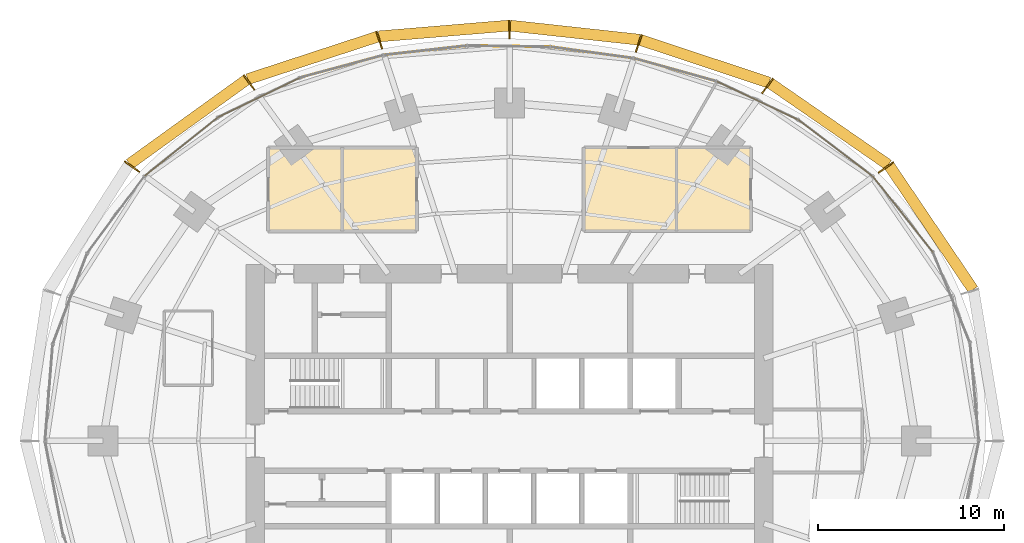
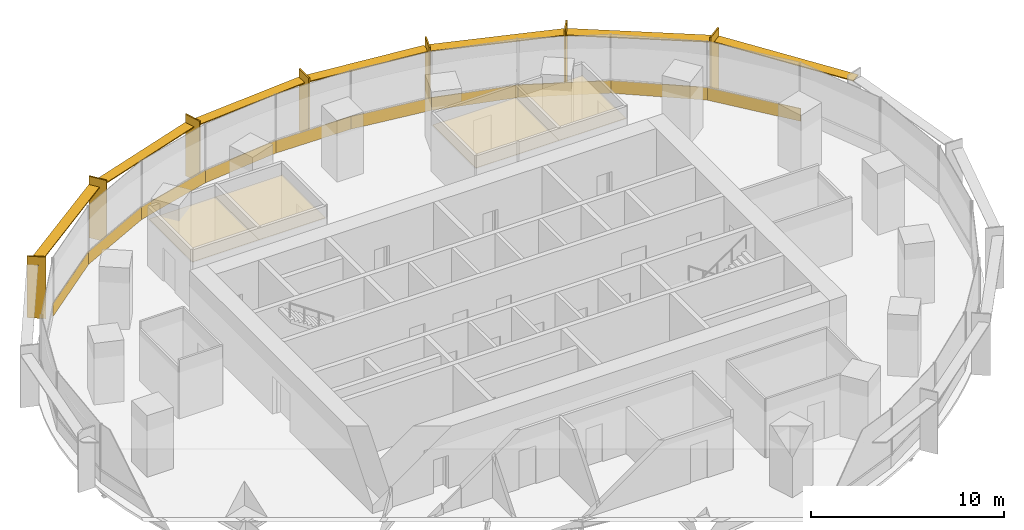
# One storey, part 14 of 14: 14 coverings, 14 shading devices.
"""IFC4 building model written with IfcOpenShell, lengths in metres."""

from ifc_helpers import new_model, si_unit, direction, frame, origin, origin_2d, place, context, subcontext, project, spatial, polyline, rectangle, outline, extrude, material, layer, layer_set, type_object, element, save


model = new_model("IFC4")

# Units and contexts
model_context = context("Model", 3, precision=1e-05, world=origin(), true_north=direction((0.0, 1.0)))
body_context = subcontext(model_context, "Body", "Model", "MODEL_VIEW")
ifc_project = project(units=[si_unit("LENGTHUNIT", "METRE"), si_unit("AREAUNIT", "SQUARE_METRE"), si_unit("VOLUMEUNIT", "CUBIC_METRE"), si_unit("PLANEANGLEUNIT", "RADIAN"), si_unit("MASSUNIT", "GRAM", prefix="KILO")], contexts=[model_context])

# Site, building, storey
site_placement = place(None, origin())
site = spatial("IfcSite", under=ifc_project, at=site_placement, CompositionType="ELEMENT")
building_placement = place(site_placement, origin())
building = spatial("IfcBuilding", under=site, at=building_placement, Name="Marramba Exchange Tower", CompositionType="ELEMENT")
storey_placement = place(building_placement, frame((0.0, 0.0, 135.300048828125)))
storey = spatial("IfcBuildingStorey", under=building, at=storey_placement, Name="L32", CompositionType="ELEMENT", Elevation=135.300048828125)

# Shading devices
ifc_material_1 = material(Name="Aluminium blade, timber-look bronze finish", Category="wood")
ifc_layer_1 = layer(ifc_material_1, 0.080078125)
ifc_layer_set_1 = layer_set([ifc_layer_1], Name="Floor-edge blade 1000x80")
shading_device_type_1 = type_object("IfcShadingDeviceType", Name="Floor-edge blade 1000x80", PredefinedType="USERDEFINED", material=ifc_layer_set_1)
for number, where, z_axis, x_axis, name in (
    (1, (20.27392578125, 14.72998046875, -0.159912109375), (0.0, 0.0, 1.0), (0.809016994375, 0.587785252292, 0.0), "Floor-edge blade FB1 L32 TC03"),
    (2, (13.8955078125, 19.12548828125, -0.159912109375), (0.0, 0.0, 1.0), (0.587785252292, 0.809016994375, 0.0), "Floor-edge blade FB1 L32 TC04"),
    (3, (6.958984375, 21.41748046875, -0.159912109375), (0.0, 0.0, 1.0), (0.309016994375, 0.951056516295, 0.0), "Floor-edge blade FB1 L32 TC05"),
    (4, (0.0, 22.173095703125, -0.159912109375), (0.0, 0.0, 1.0), (0.0, 1.0, 0.0), "Floor-edge blade FB1 L32 TC06"),
    (5, (-7.016845703125, 21.595703125, -0.159912109375), (0.0, 0.0, 1.0), (-0.309016994375, 0.951056516295, 0.0), "Floor-edge blade FB1 L32 TC07"),
    (6, (-14.029296875, 19.3095703125, -0.159912109375), (0.0, 0.0, 1.0), (-0.587785252292, 0.809016994375, 0.0), "Floor-edge blade FB1 L32 TC08"),
    (7, (-20.33642578125, 14.775390625, -0.159912109375), (0.0, 0.0, 1.0), (-0.809016994375, 0.587785252292, 0.0), "Floor-edge blade FB1 L32 TC09"),
):
    element("IfcShadingDevice", number, at=place(storey_placement, frame(where, z_axis=z_axis, x_axis=x_axis)), inside=storey, type_object=shading_device_type_1, Name=name, ObjectType="FIN", PredefinedType="USERDEFINED", context=body_context, shape_type="SweptSolid", body=[
        extrude(rectangle(XDim=1.0, YDim=0.080078125, at=origin_2d()), origin(), (0.0, 0.0, 1.0), 3.89990234375),
    ])
ifc_material_2 = material(Name="Aluminium sunshade, bronze anodised", Category="aluminium")
ifc_layer_2 = layer(ifc_material_2, 0.06005859375)
ifc_layer_set_2 = layer_set([ifc_layer_2], Name="SUNSHADE blade 600x60")
shading_device_type_2 = type_object("IfcShadingDeviceType", Name="SUNSHADE blade 600x60", PredefinedType="USERDEFINED", material=ifc_layer_set_2)
shading_device_1_placement = place(storey_placement, frame((22.712158203125, 11.4833984375, 3.159912109375), z_axis=(0.0, 0.0, 1.0), x_axis=(-0.560441804861, 0.828193807852, 0.0)))
element("IfcShadingDevice", 8, at=shading_device_1_placement, inside=storey, type_object=shading_device_type_2, Name="Sunshade SS1 L32 bay 02", ObjectType="SUNSHADE", PredefinedType="USERDEFINED", context=body_context, shape_type="SweptSolid", body=[
    extrude(rectangle(XDim=8.0439453125, YDim=0.60009765625, at=origin_2d()), origin(), (0.0, 0.0, 1.0), 0.06005859375),
])
shading_device_2_placement = place(storey_placement, frame((17.224365234375, 17.0673828125, 3.159912109375), z_axis=(0.0, 0.0, 1.0), x_axis=(-0.822589509071, 0.568635647464, 0.0)))
element("IfcShadingDevice", 9, at=shading_device_2_placement, inside=storey, type_object=shading_device_type_2, Name="Sunshade SS1 L32 bay 03", ObjectType="SUNSHADE", PredefinedType="USERDEFINED", context=body_context, shape_type="SweptSolid", body=[
    extrude(rectangle(XDim=7.72802734375, YDim=0.60009765625, at=origin_2d()), origin(), (0.0, 0.0, 1.0), 0.06005859375),
])
shading_device_3_placement = place(storey_placement, frame((10.516845703125, 20.447509765625, 3.159912109375), z_axis=(0.0, 0.0, 1.0), x_axis=(-0.949101076178, 0.314971660944, 0.0)))
element("IfcShadingDevice", 10, at=shading_device_3_placement, inside=storey, type_object=shading_device_type_2, Name="Sunshade SS1 L32 bay 04", ObjectType="SUNSHADE", PredefinedType="USERDEFINED", context=body_context, shape_type="SweptSolid", body=[
    extrude(rectangle(XDim=7.287353515625, YDim=0.60009765625, at=origin_2d()), origin(), (0.0, 0.0, 1.0), 0.06005859375),
])
shading_device_4_placement = place(storey_placement, frame((3.510498046875, 21.990478515625, 3.159912109375), z_axis=(0.0, 0.0, 1.0), x_axis=(-0.994111392801, 0.108362995081, 0.0)))
element("IfcShadingDevice", 11, at=shading_device_4_placement, inside=storey, type_object=shading_device_type_2, Name="Sunshade SS1 L32 bay 05", ObjectType="SUNSHADE", PredefinedType="USERDEFINED", context=body_context, shape_type="SweptSolid", body=[
    extrude(rectangle(XDim=6.982421875, YDim=0.60009765625, at=origin_2d()), origin(), (0.0, 0.0, 1.0), 0.06005859375),
])
shading_device_5_placement = place(storey_placement, frame((-3.539306640625, 22.07958984375, 3.159912109375), z_axis=(0.0, 0.0, 1.0), x_axis=(-0.996577838412, -0.08265961521, 0.0)))
element("IfcShadingDevice", 12, at=shading_device_5_placement, inside=storey, type_object=shading_device_type_2, Name="Sunshade SS1 L32 bay 06", ObjectType="SUNSHADE", PredefinedType="USERDEFINED", context=body_context, shape_type="SweptSolid", body=[
    extrude(rectangle(XDim=7.02294921875, YDim=0.60009765625, at=origin_2d()), origin(), (0.0, 0.0, 1.0), 0.06005859375),
])
shading_device_6_placement = place(storey_placement, frame((-10.61279296875, 20.628662109375, 3.159912109375), z_axis=(0.0, 0.0, 1.0), x_axis=(-0.950345637432, -0.311196351865, 0.0)))
element("IfcShadingDevice", 13, at=shading_device_6_placement, inside=storey, type_object=shading_device_type_2, Name="Sunshade SS1 L32 bay 07", ObjectType="SUNSHADE", PredefinedType="USERDEFINED", context=body_context, shape_type="SweptSolid", body=[
    extrude(rectangle(XDim=7.357421875, YDim=0.60009765625, at=origin_2d()), origin(), (0.0, 0.0, 1.0), 0.06005859375),
])
shading_device_7_placement = place(storey_placement, frame((-17.322509765625, 17.18212890625, 3.159912109375), z_axis=(0.0, 0.0, 1.0), x_axis=(-0.811199164202, -0.584769968448, 0.0)))
element("IfcShadingDevice", 14, at=shading_device_7_placement, inside=storey, type_object=shading_device_type_2, Name="Sunshade SS1 L32 bay 08", ObjectType="SUNSHADE", PredefinedType="USERDEFINED", context=body_context, shape_type="SweptSolid", body=[
    extrude(rectangle(XDim=7.749755859375, YDim=0.60009765625, at=origin_2d()), origin(), (0.0, 0.0, 1.0), 0.06005859375),
])

# Coverings
ifc_material_3 = material(Name="Aluminium spandrel panel, bronze anodised, insulated", Category="aluminium")
ifc_layer_3 = layer(ifc_material_3, 0.050048828125)
ifc_layer_set_3 = layer_set([ifc_layer_3], Name="Spandrel panel 800")
covering_type_1 = type_object("IfcCoveringType", Name="Spandrel panel 800", PredefinedType="CLADDING", material=ifc_layer_set_3)
covering_1_placement = place(storey_placement, frame((21.20068359375, 12.194091796875, 0.0), z_axis=(0.0, 0.0, 1.0), x_axis=(-0.621311998758, 0.783563271344, 0.0)))
element("IfcCovering", 15, at=covering_1_placement, inside=storey, type_object=covering_type_1, Name="Spandrel panel SP1 L32 F03", PredefinedType="CLADDING", context=body_context, shape_type="SweptSolid", body=[
    extrude(rectangle(XDim=5.197021484375, YDim=0.050048828125, at=origin_2d()), origin(), (0.0, 0.0, 1.0), 0.800048828125),
])
covering_2_placement = place(storey_placement, frame((17.576171875, 15.759033203125, 0.0), z_axis=(0.0, 0.0, 1.0), x_axis=(-0.795971745176, 0.605333776426, 0.0)))
element("IfcCovering", 16, at=covering_2_placement, inside=storey, type_object=covering_type_1, Name="Spandrel panel SP1 L32 F04", PredefinedType="CLADDING", context=body_context, shape_type="SweptSolid", body=[
    extrude(rectangle(XDim=5.05078125, YDim=0.050048828125, at=origin_2d()), origin(), (0.0, 0.0, 1.0), 0.800048828125),
])
covering_3_placement = place(storey_placement, frame((13.371337890625, 18.322998046875, 0.0), z_axis=(0.0, 0.0, 1.0), x_axis=(-0.904403135206, 0.426678999987, 0.0)))
element("IfcCovering", 17, at=covering_3_placement, inside=storey, type_object=covering_type_1, Name="Spandrel panel SP1 L32 F05", PredefinedType="CLADDING", context=body_context, shape_type="SweptSolid", body=[
    extrude(rectangle(XDim=4.853271484375, YDim=0.050048828125, at=origin_2d()), origin(), (0.0, 0.0, 1.0), 0.800048828125),
])
covering_4_placement = place(storey_placement, frame((8.9365234375, 19.98388671875, 0.0), z_axis=(0.0, 0.0, 1.0), x_axis=(-0.963177847397, 0.268865085655, 0.0)))
element("IfcCovering", 18, at=covering_4_placement, inside=storey, type_object=covering_type_1, Name="Spandrel panel SP1 L32 F06", PredefinedType="CLADDING", context=body_context, shape_type="SweptSolid", body=[
    extrude(rectangle(XDim=4.651611328125, YDim=0.050048828125, at=origin_2d()), origin(), (0.0, 0.0, 1.0), 0.800048828125),
])
covering_5_placement = place(storey_placement, frame((4.46337890625, 20.915283203125, 0.0), z_axis=(0.0, 0.0, 1.0), x_axis=(-0.990738214019, 0.135785828725, 0.0)))
element("IfcCovering", 19, at=covering_5_placement, inside=storey, type_object=covering_type_1, Name="Spandrel panel SP1 L32 F07", PredefinedType="CLADDING", context=body_context, shape_type="SweptSolid", body=[
    extrude(rectangle(XDim=4.507568359375, YDim=0.050048828125, at=origin_2d()), origin(), (0.0, 0.0, 1.0), 0.800048828125),
])
covering_6_placement = place(storey_placement, frame((-0.003662109375, 21.25634765625, 0.0), z_axis=(0.0, 0.0, 1.0), x_axis=(-0.999875870008, 0.015755779107, 0.0)))
element("IfcCovering", 20, at=covering_6_placement, inside=storey, type_object=covering_type_1, Name="Spandrel panel SP1 L32 F08", PredefinedType="CLADDING", context=body_context, shape_type="SweptSolid", body=[
    extrude(rectangle(XDim=4.46875, YDim=0.050048828125, at=origin_2d()), origin(), (0.0, 0.0, 1.0), 0.800048828125),
])
covering_7_placement = place(storey_placement, frame((-4.49609375, 21.03955078125, 0.0), z_axis=(0.0, 0.0, 1.0), x_axis=(-0.993823395975, -0.110973229261, 0.0)))
element("IfcCovering", 21, at=covering_7_placement, inside=storey, type_object=covering_type_1, Name="Spandrel panel SP1 L32 F09", PredefinedType="CLADDING", context=body_context, shape_type="SweptSolid", body=[
    extrude(rectangle(XDim=4.54443359375, YDim=0.050048828125, at=origin_2d()), origin(), (0.0, 0.0, 1.0), 0.800048828125),
])
covering_8_placement = place(storey_placement, frame((-9.0244140625, 20.17529296875, 0.0), z_axis=(0.0, 0.0, 1.0), x_axis=(-0.965522049344, -0.26032128655, 0.0)))
element("IfcCovering", 22, at=covering_8_placement, inside=storey, type_object=covering_type_1, Name="Spandrel panel SP1 L32 F10", PredefinedType="CLADDING", context=body_context, shape_type="SweptSolid", body=[
    extrude(rectangle(XDim=4.70263671875, YDim=0.050048828125, at=origin_2d()), origin(), (0.0, 0.0, 1.0), 0.800048828125),
])
covering_9_placement = place(storey_placement, frame((-13.49609375, 18.498291015625, 0.0), z_axis=(0.0, 0.0, 1.0), x_axis=(-0.900223736484, -0.435427633794, 0.0)))
element("IfcCovering", 23, at=covering_9_placement, inside=storey, type_object=covering_type_1, Name="Spandrel panel SP1 L32 F11", PredefinedType="CLADDING", context=body_context, shape_type="SweptSolid", body=[
    extrude(rectangle(XDim=4.890625, YDim=0.050048828125, at=origin_2d()), origin(), (0.0, 0.0, 1.0), 0.800048828125),
])
covering_10_placement = place(storey_placement, frame((-17.673095703125, 15.854736328125, 0.0), z_axis=(0.0, 0.0, 1.0), x_axis=(-0.781178328369, -0.624307952285, 0.0)))
element("IfcCovering", 24, at=covering_10_placement, inside=storey, type_object=covering_type_1, Name="Spandrel panel SP1 L32 F12", PredefinedType="CLADDING", context=body_context, shape_type="SweptSolid", body=[
    extrude(rectangle(XDim=5.058349609375, YDim=0.050048828125, at=origin_2d()), origin(), (0.0, 0.0, 1.0), 0.800048828125),
])
ifc_material_4 = material(Name="Mineral fibre ceiling tiles", Category="gypsum")
ifc_layer_4 = layer(ifc_material_4, 0.02001953125)
ifc_layer_set_4 = layer_set([ifc_layer_4], Name="Suspended ceiling 20")
covering_type_2 = type_object("IfcCoveringType", Name="Suspended ceiling 20", PredefinedType="CEILING", material=ifc_layer_set_4)
covering_11_placement = place(storey_placement, frame((0.0, 0.0, 2.89990234375)))
element("IfcCovering", 25, at=covering_11_placement, inside=storey, type_object=covering_type_2, Name="Ceiling CL1 L32 Data Room 1", PredefinedType="CEILING", context=body_context, shape_type="SweptSolid", body=[
    extrude(outline(polyline([(-9.0, 11.300048828125), (-13.0, 11.300048828125), (-13.0, 15.800048828125), (-9.0, 15.800048828125), (-9.0, 11.300048828125)])), origin(), (0.0, 0.0, 1.0), 0.02001953125),
])
covering_12_placement = place(storey_placement, frame((0.0, 0.0, 2.89990234375)))
element("IfcCovering", 26, at=covering_12_placement, inside=storey, type_object=covering_type_2, Name="Ceiling CL1 L32 Data Room 2", PredefinedType="CEILING", context=body_context, shape_type="SweptSolid", body=[
    extrude(outline(polyline([(-5.0, 11.300048828125), (-9.0, 11.300048828125), (-9.0, 15.800048828125), (-5.0, 15.800048828125), (-5.0, 11.300048828125)])), origin(), (0.0, 0.0, 1.0), 0.02001953125),
])
covering_13_placement = place(storey_placement, frame((0.0, 0.0, 2.89990234375)))
element("IfcCovering", 27, at=covering_13_placement, inside=storey, type_object=covering_type_2, Name="Ceiling CL1 L32 Meeting Room 1", PredefinedType="CEILING", context=body_context, shape_type="SweptSolid", body=[
    extrude(outline(polyline([(9.0, 15.800048828125), (9.0, 11.300048828125), (4.0, 11.300048828125), (4.0, 15.800048828125), (9.0, 15.800048828125)])), origin(), (0.0, 0.0, 1.0), 0.02001953125),
])
covering_14_placement = place(storey_placement, frame((0.0, 0.0, 2.89990234375)))
element("IfcCovering", 28, at=covering_14_placement, inside=storey, type_object=covering_type_2, Name="Ceiling CL1 L32 Meeting Room 2", PredefinedType="CEILING", context=body_context, shape_type="SweptSolid", body=[
    extrude(outline(polyline([(13.0, 15.800048828125), (13.0, 11.300048828125), (9.0, 11.300048828125), (9.0, 15.800048828125), (13.0, 15.800048828125)])), origin(), (0.0, 0.0, 1.0), 0.02001953125),
])

save(model, "model.ifc")
